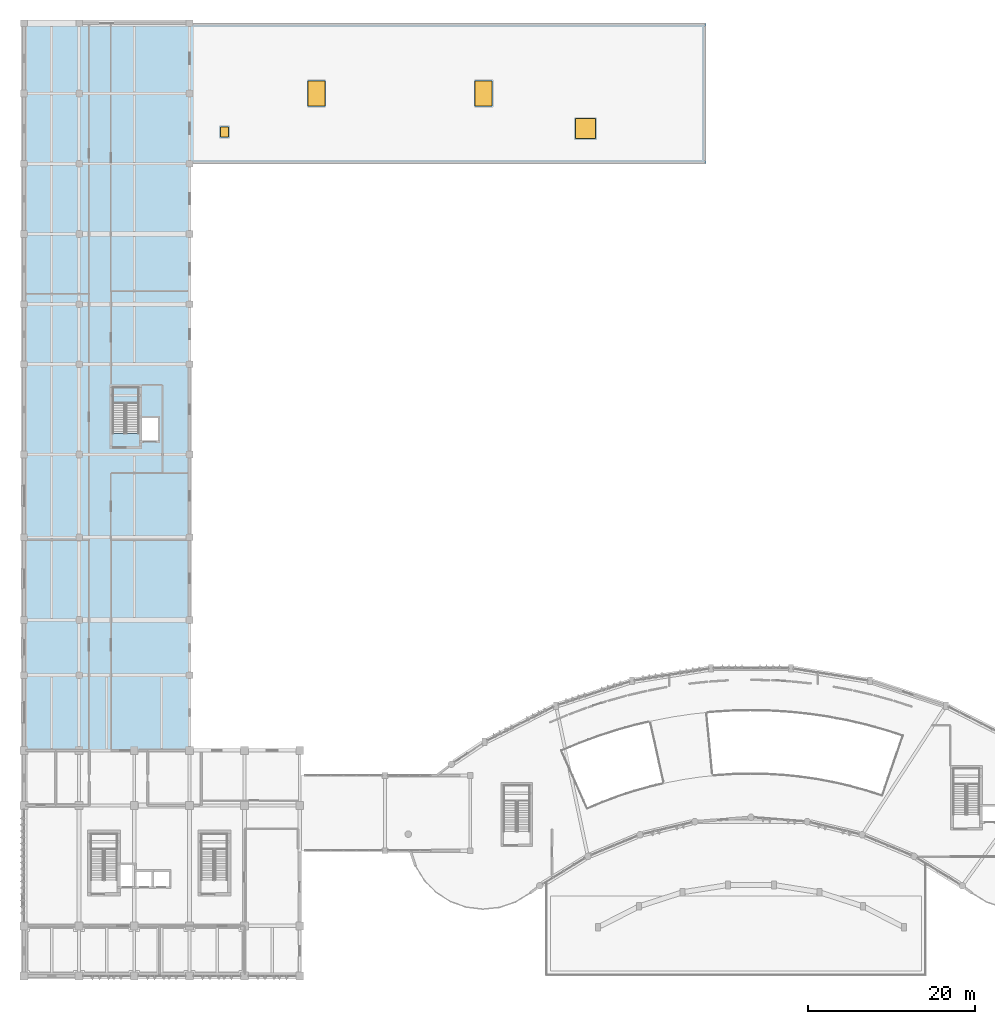
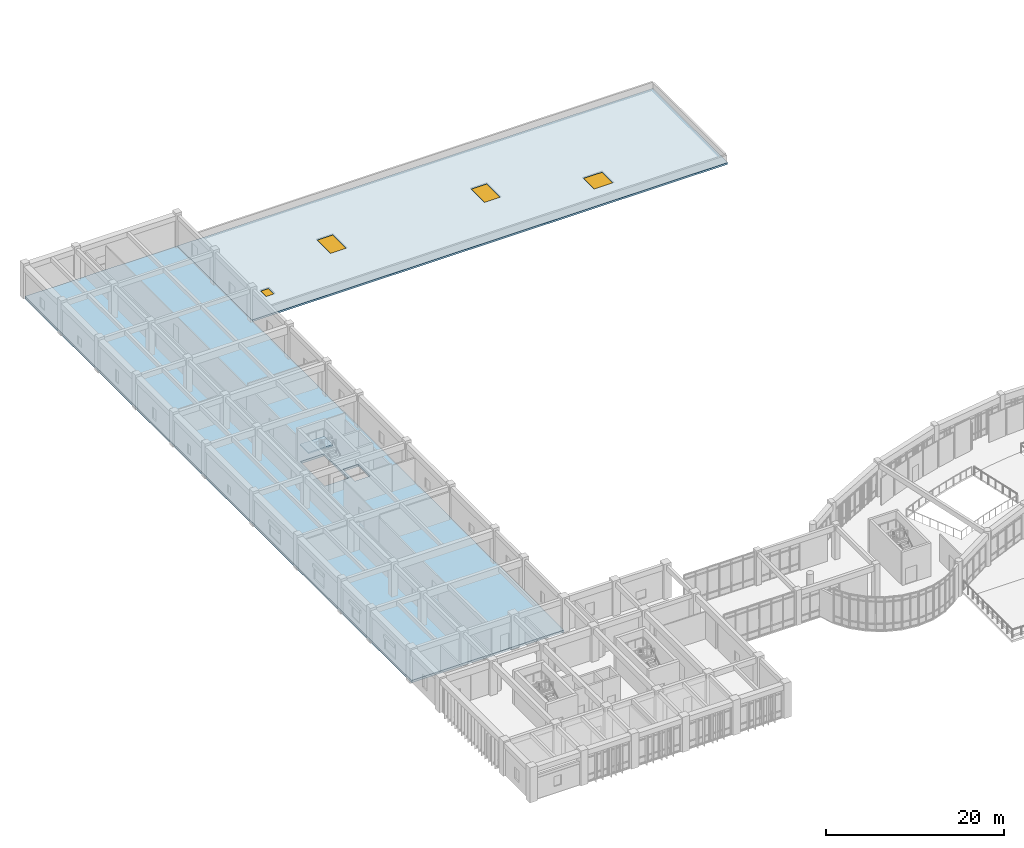
# One storey, part 44 of 65: 3 slabs, 3 windows, 1 door, 4 openings, 1 element without a shape of its own.
"""IFC4 building model written with IfcOpenShell, lengths in metres."""

from ifc_helpers import new_model, si_unit, direction, frame, origin, origin_2d, place, context, subcontext, project, spatial, polyline, rectangle, outline, extrude, material, layer, layer_set, type_object, element, fill, aggregate, save


model = new_model("IFC4")

# Units and contexts
model_context = context("Model", 3, precision=1e-05, world=origin(), true_north=direction((0.0, 1.0)))
body_context = subcontext(model_context, "Body", "Model", "MODEL_VIEW")
ifc_project = project(units=[si_unit("LENGTHUNIT", "METRE"), si_unit("AREAUNIT", "SQUARE_METRE"), si_unit("VOLUMEUNIT", "CUBIC_METRE"), si_unit("PLANEANGLEUNIT", "RADIAN"), si_unit("MASSUNIT", "GRAM", prefix="KILO")], contexts=[model_context])

# Site, building, storey
site_placement = place(None, origin())
site = spatial("IfcSite", under=ifc_project, at=site_placement, CompositionType="ELEMENT")
building_placement = place(site_placement, origin())
building = spatial("IfcBuilding", under=site, at=building_placement, Name="Miralva Faculty of Natural Sciences", CompositionType="ELEMENT")
storey_placement = place(building_placement, frame((0.0, 0.0, 10.199951171875)))
storey = spatial("IfcBuildingStorey", under=building, at=storey_placement, Name="L02", CompositionType="ELEMENT", Elevation=10.199951171875)

# Slab
ifc_material_1 = material(Name="Concrete C40/50", Category="concrete")
ifc_layer_1 = layer(ifc_material_1, 0.320068359375, Name="SL-FL01")
ifc_layer_set_1 = layer_set([ifc_layer_1], Name="Concrete C40/50")
slab_type_1 = type_object("IfcSlabType", Name="SL-FL01", PredefinedType="FLOOR", material=ifc_layer_set_1)
slab_1_placement = place(storey_placement, frame((0.0, 0.0, -0.320068359375)))
element("IfcSlab", 1, at=slab_1_placement, inside=storey, type_object=slab_type_1, Name="V4 L02 floor slab", PredefinedType="FLOOR", context=body_context, shape_type="SweptSolid", body=[
    extrude(outline(polyline([(22.800048828125, 30.0), (3.0, 30.0), (3.0, 117.0), (22.800048828125, 117.0), (22.800048828125, 30.0)]), holes=[polyline([(16.72509765625, 67.925048828125), (13.625, 67.925048828125), (13.625, 73.425048828125), (16.72509765625, 73.425048828125), (16.72509765625, 67.925048828125)]), polyline([(19.050048828125, 67.050048828125), (17.050048828125, 67.050048828125), (17.050048828125, 69.75), (19.050048828125, 69.75), (19.050048828125, 67.050048828125)])]), origin(), (0.0, 0.0, 1.0), 0.320068359375),
])

# Stair, slab
stair_type = type_object("IfcStairType", Name="ST-CORE-480", PredefinedType="HALF_TURN_STAIR", material=ifc_material_1)
stair_placement = place(storey_placement, origin())
stair = element("IfcStair", 2, at=stair_placement, inside=storey, type_object=stair_type, Name="Exit Stair Core C2 (ST-02) L02", PredefinedType="HALF_TURN_STAIR")
ifc_layer_2 = layer(ifc_material_1, 0.18994140625, Name="SL-LD01")
ifc_layer_set_2 = layer_set([ifc_layer_2], Name="Concrete C40/50")
slab_type_2 = type_object("IfcSlabType", Name="SL-LD01", PredefinedType="LANDING", material=ifc_layer_set_2)
slab_2_placement = place(storey_placement, frame((0.0, 0.0, 2.2099609375)))
slab_2 = element("IfcSlab", 3, at=slab_2_placement, type_object=slab_type_2, Name="ST-02 landing 1", PredefinedType="LANDING", context=body_context, shape_type="SweptSolid", body=[
    extrude(outline(polyline([(16.75, 71.5400390625), (16.75, 73.449951171875), (13.60009765625, 73.449951171875), (13.60009765625, 71.5400390625), (16.75, 71.5400390625)])), origin(), (0.0, 0.0, 1.0), 0.190185546875),
])
aggregate(stair, [slab_2])

# Slab, openings, door, windows
ifc_layer_3 = layer(ifc_material_1, 0.25, Name="SL-RF01")
ifc_layer_set_3 = layer_set([ifc_layer_3], Name="Concrete C40/50")
slab_type_3 = type_object("IfcSlabType", Name="SL-RF01", PredefinedType="ROOF", material=ifc_layer_set_3)
slab_3_placement = place(storey_placement, frame((0.0, 0.0, -0.25)))
slab_3 = element("IfcSlab", 4, at=slab_3_placement, inside=storey, type_object=slab_type_3, Name="North Laboratory Wing Maintenance Roof", PredefinedType="ROOF", context=body_context, shape_type="SweptSolid", body=[
    extrude(outline(polyline([(84.60009765625, 100.199951171875), (22.800048828125, 100.199951171875), (22.800048828125, 117.0), (84.60009765625, 117.0), (84.60009765625, 100.199951171875)])), origin(), (0.0, 0.0, 1.0), 0.25),
])
opening_1_placement = place(slab_3_placement, frame((38.0, 108.60009765625, 0.0)))
opening_1 = element("IfcOpeningElement", 5, at=opening_1_placement, cuts=slab_3, Name="Opening SK-02", PredefinedType="OPENING", context=body_context, shape_type="SweptSolid", body=[
    extrude(rectangle(XDim=2.0, YDim=3.0, at=origin_2d()), frame((0.0, 0.0, -0.010009765625)), (0.0, 0.0, 1.0), 0.27001953125),
])
opening_2_placement = place(slab_3_placement, frame((58.0, 108.60009765625, 0.0)))
opening_2 = element("IfcOpeningElement", 6, at=opening_2_placement, cuts=slab_3, Name="Opening SK-02", PredefinedType="OPENING", context=body_context, shape_type="SweptSolid", body=[
    extrude(rectangle(XDim=2.0, YDim=3.0, at=origin_2d()), frame((0.0, 0.0, -0.010009765625)), (0.0, 0.0, 1.0), 0.27001953125),
])
opening_3_placement = place(slab_3_placement, frame((70.199951171875, 104.39990234375, 0.0)))
opening_3 = element("IfcOpeningElement", 7, at=opening_3_placement, cuts=slab_3, Name="Opening SK-01", PredefinedType="OPENING", context=body_context, shape_type="SweptSolid", body=[
    extrude(rectangle(XDim=2.39990234375, YDim=2.39990234375, at=origin_2d()), frame((0.0, 0.0, -0.010009765625)), (0.0, 0.0, 1.0), 0.27001953125),
])
opening_4_placement = place(slab_3_placement, frame((27.0, 104.0, 0.0)))
opening_4 = element("IfcOpeningElement", 8, at=opening_4_placement, cuts=slab_3, Name="Opening D-08", PredefinedType="OPENING", context=body_context, shape_type="SweptSolid", body=[
    extrude(rectangle(XDim=1.0, YDim=1.199951171875, at=origin_2d()), frame((0.0, 0.0, -0.010009765625)), (0.0, 0.0, 1.0), 0.27001953125),
])
ifc_material_2 = material(Name="Galvanised steel", Category="steel")
door_type = type_object("IfcDoorType", Name="DR-HT01", OperationType="SINGLE_SWING_LEFT", PredefinedType="TRAPDOOR", material=ifc_material_2)
door_placement = place(opening_4_placement, frame((0.0, 0.0, 0.199951171875)))
door = element("IfcDoor", 9, at=door_placement, inside=storey, type_object=door_type, Name="Roof opening D-08 L02-14", OperationType="SINGLE_SWING_LEFT", OverallHeight=1.199951171875, OverallWidth=1.0, PredefinedType="TRAPDOOR", context=body_context, shape_type="SweptSolid", body=[
    extrude(rectangle(XDim=1.0, YDim=1.199951171875, at=origin_2d()), origin(), (0.0, 0.0, 1.0), 0.050048828125),
])
fill(opening_4, door)
ifc_material_3 = material(Name="Laminated solar-control glass", Category="glass")
window_type_1 = type_object("IfcWindowType", Name="WN-SK01", PartitioningType="SINGLE_PANEL", PredefinedType="SKYLIGHT", material=ifc_material_3)
window_1_placement = place(opening_3_placement, frame((0.0, 0.0, 0.199951171875)))
window_1 = element("IfcWindow", 10, at=window_1_placement, inside=storey, type_object=window_type_1, Name="Roof opening SK-01 L02-6", OverallHeight=2.39990234375, OverallWidth=2.39990234375, PartitioningType="SINGLE_PANEL", PredefinedType="SKYLIGHT", context=body_context, shape_type="SweptSolid", body=[
    extrude(rectangle(XDim=2.39990234375, YDim=2.39990234375, at=origin_2d()), origin(), (0.0, 0.0, 1.0), 0.050048828125),
])
fill(opening_3, window_1)
window_type_2 = type_object("IfcWindowType", Name="WN-SK02", PartitioningType="SINGLE_PANEL", PredefinedType="SKYLIGHT", material=ifc_material_3)
window_2_placement = place(opening_1_placement, frame((0.0, 0.0, 0.199951171875)))
window_2 = element("IfcWindow", 11, at=window_2_placement, inside=storey, type_object=window_type_2, Name="Roof opening SK-02 L02-4", OverallHeight=3.0, OverallWidth=2.0, PartitioningType="SINGLE_PANEL", PredefinedType="SKYLIGHT", context=body_context, shape_type="SweptSolid", body=[
    extrude(rectangle(XDim=2.0, YDim=3.0, at=origin_2d()), origin(), (0.0, 0.0, 1.0), 0.050048828125),
])
fill(opening_1, window_2)
window_3_placement = place(opening_2_placement, frame((0.0, 0.0, 0.199951171875)))
window_3 = element("IfcWindow", 12, at=window_3_placement, inside=storey, type_object=window_type_2, Name="Roof opening SK-02 L02-5", OverallHeight=3.0, OverallWidth=2.0, PartitioningType="SINGLE_PANEL", PredefinedType="SKYLIGHT", context=body_context, shape_type="SweptSolid", body=[
    extrude(rectangle(XDim=2.0, YDim=3.0, at=origin_2d()), origin(), (0.0, 0.0, 1.0), 0.050048828125),
])
fill(opening_2, window_3)

save(model, "model.ifc")
